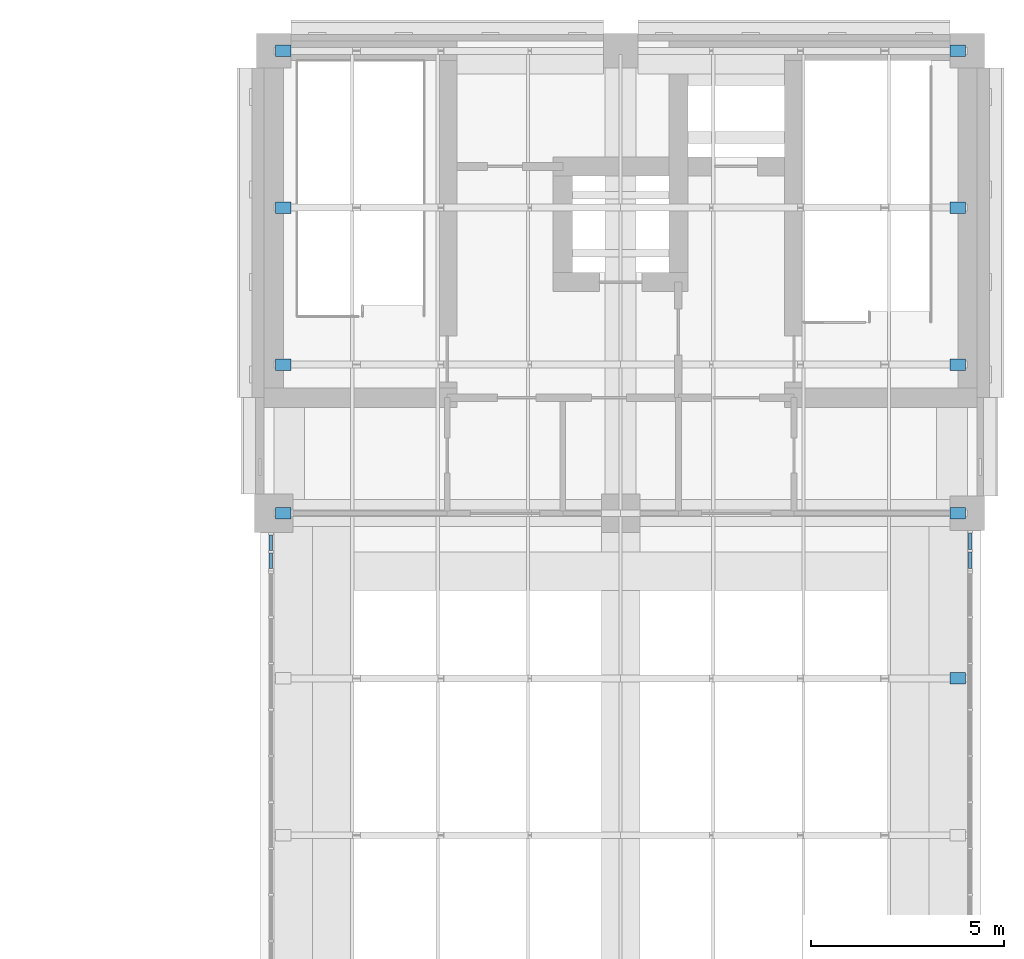
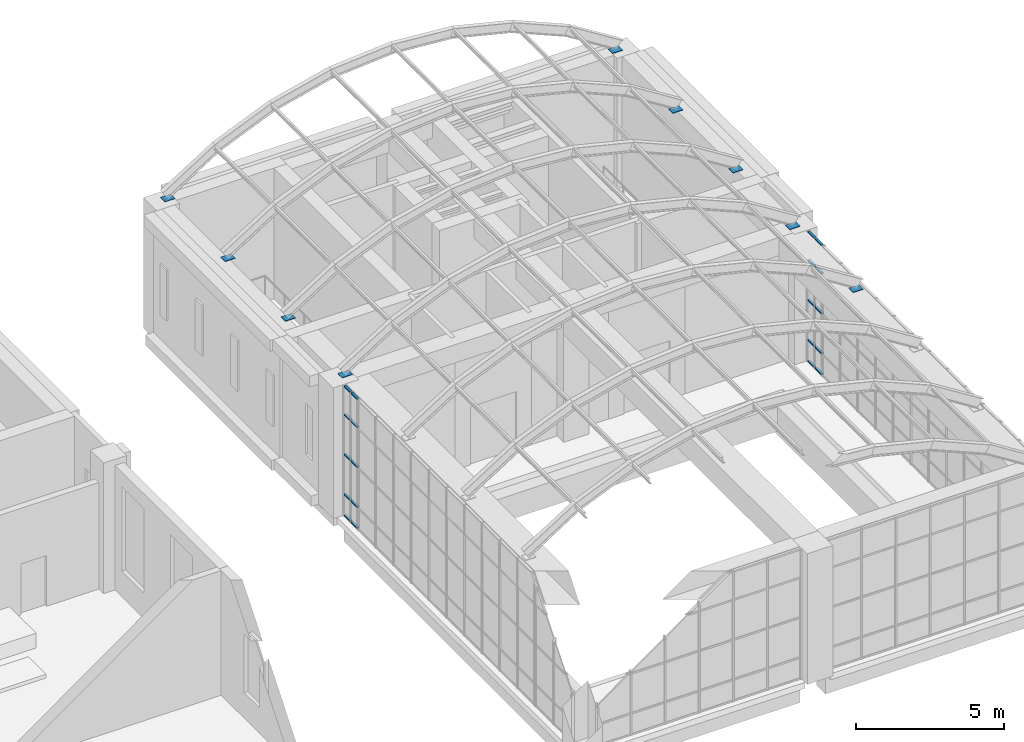
# One storey, part 16 of 39: 29 members, 2 elements without a shape of their own.
"""IFC4 building model written with IfcOpenShell, lengths in metres."""

from ifc_helpers import new_model, si_unit, direction, frame, origin, origin_2d, place, context, subcontext, project, spatial, rectangle, extrude, material, layer, layer_set, material_profile, profile_set, type_object, element, aggregate, save


model = new_model("IFC4")

# Units and contexts
model_context = context("Model", 3, precision=1e-05, world=origin(), true_north=direction((0.0, 1.0)))
body_context = subcontext(model_context, "Body", "Model", "MODEL_VIEW")
ifc_project = project(units=[si_unit("LENGTHUNIT", "METRE"), si_unit("AREAUNIT", "SQUARE_METRE"), si_unit("VOLUMEUNIT", "CUBIC_METRE"), si_unit("PLANEANGLEUNIT", "RADIAN"), si_unit("MASSUNIT", "GRAM", prefix="KILO")], contexts=[model_context])

# Site, building, storey
site_placement = place(None, origin())
site = spatial("IfcSite", under=ifc_project, at=site_placement, CompositionType="ELEMENT")
building_placement = place(site_placement, origin())
building = spatial("IfcBuilding", under=site, at=building_placement, Name="Aurelan Courthouse", CompositionType="ELEMENT")
storey_placement = place(building_placement, frame((0.0, 0.0, 28.199951171875)))
storey = spatial("IfcBuildingStorey", under=building, at=storey_placement, Name="L05", CompositionType="ELEMENT", Elevation=28.199951171875)

# Curtain wall, members
ifc_material_1 = material(Name="Bronze-finished aluminium and glass", Category="aluminium")
ifc_layer_1 = layer(ifc_material_1, 0.14990234375)
ifc_layer_set_1 = layer_set([ifc_layer_1], Name="Bronze-finished aluminium and glass")
curtain_wall_type_1 = type_object("IfcCurtainWallType", Name="Curtain wall 1050 x 5400", PredefinedType="NOTDEFINED", material=ifc_layer_set_1)
curtain_wall_1_placement = place(storey_placement, origin())
curtain_wall_1 = element("IfcCurtainWall", 1, at=curtain_wall_1_placement, inside=storey, type_object=curtain_wall_type_1, Name="Curtain wall CW-V3-L05-E03", PredefinedType="NOTDEFINED")
ifc_material_2 = material(Name="Bronze-finished aluminium", Category="aluminium")
ifc_material_profile_1 = material_profile(ifc_material_2, rectangle(XDim=0.090087890625, YDim=0.06005859375, at=origin_2d()), Name="Bronze transom 60 x 90")
ifc_profile_set_1 = profile_set([ifc_material_profile_1], Name="Bronze-finished aluminium")
member_type_1 = type_object("IfcMemberType", Name="Curtain wall transom 60 x 90", PredefinedType="USERDEFINED", material=ifc_profile_set_1)
member_1_placement = place(storey_placement, frame((90.074951171875, 52.56005859375, 0.030029296875), z_axis=(0.0, 1.0, 0.0), x_axis=(-1.0, 0.0, 0.0)))
member_1 = element("IfcMember", 2, at=member_1_placement, type_object=member_type_1, Name="CW-V3-L05-E03 transom 1.1", ObjectType="TRANSOM", PredefinedType="USERDEFINED", context=body_context, shape_type="SweptSolid", body=[
    extrude(rectangle(XDim=0.090087890625, YDim=0.06005859375, at=origin_2d()), origin(), (0.0, 0.0, 1.0), 0.43505859375),
])
member_2_placement = place(storey_placement, frame((90.074951171875, 52.56005859375, 0.900146484375), z_axis=(0.0, 1.0, 0.0), x_axis=(-1.0, 0.0, 0.0)))
member_2 = element("IfcMember", 3, at=member_2_placement, type_object=member_type_1, Name="CW-V3-L05-E03 transom 1.2", ObjectType="TRANSOM", PredefinedType="USERDEFINED", context=body_context, shape_type="SweptSolid", body=[
    extrude(rectangle(XDim=0.090087890625, YDim=0.06005859375, at=origin_2d()), origin(), (0.0, 0.0, 1.0), 0.43505859375),
])
member_3_placement = place(storey_placement, frame((90.074951171875, 52.56005859375, 2.550048828125), z_axis=(0.0, 1.0, 0.0), x_axis=(-1.0, 0.0, 0.0)))
member_3 = element("IfcMember", 4, at=member_3_placement, type_object=member_type_1, Name="CW-V3-L05-E03 transom 1.3", ObjectType="TRANSOM", PredefinedType="USERDEFINED", context=body_context, shape_type="SweptSolid", body=[
    extrude(rectangle(XDim=0.090087890625, YDim=0.06005859375, at=origin_2d()), origin(), (0.0, 0.0, 1.0), 0.43505859375),
])
member_4_placement = place(storey_placement, frame((90.074951171875, 52.56005859375, 4.199951171875), z_axis=(0.0, 1.0, 0.0), x_axis=(-1.0, 0.0, 0.0)))
member_4 = element("IfcMember", 5, at=member_4_placement, type_object=member_type_1, Name="CW-V3-L05-E03 transom 1.4", ObjectType="TRANSOM", PredefinedType="USERDEFINED", context=body_context, shape_type="SweptSolid", body=[
    extrude(rectangle(XDim=0.090087890625, YDim=0.06005859375, at=origin_2d()), origin(), (0.0, 0.0, 1.0), 0.43505859375),
])
member_5_placement = place(storey_placement, frame((90.074951171875, 52.56005859375, 5.3701171875), z_axis=(0.0, 1.0, 0.0), x_axis=(-1.0, 0.0, 0.0)))
member_5 = element("IfcMember", 6, at=member_5_placement, type_object=member_type_1, Name="CW-V3-L05-E03 transom 1.5", ObjectType="TRANSOM", PredefinedType="USERDEFINED", context=body_context, shape_type="SweptSolid", body=[
    extrude(rectangle(XDim=0.090087890625, YDim=0.06005859375, at=origin_2d()), origin(), (0.0, 0.0, 1.0), 0.43505859375),
])
member_6_placement = place(storey_placement, frame((90.074951171875, 53.054931640625, 0.030029296875), z_axis=(0.0, 1.0, 0.0), x_axis=(-1.0, 0.0, 0.0)))
member_6 = element("IfcMember", 7, at=member_6_placement, type_object=member_type_1, Name="CW-V3-L05-E03 transom 2.1", ObjectType="TRANSOM", PredefinedType="USERDEFINED", context=body_context, shape_type="SweptSolid", body=[
    extrude(rectangle(XDim=0.090087890625, YDim=0.06005859375, at=origin_2d()), origin(), (0.0, 0.0, 1.0), 0.43505859375),
])
member_7_placement = place(storey_placement, frame((90.074951171875, 53.054931640625, 0.900146484375), z_axis=(0.0, 1.0, 0.0), x_axis=(-1.0, 0.0, 0.0)))
member_7 = element("IfcMember", 8, at=member_7_placement, type_object=member_type_1, Name="CW-V3-L05-E03 transom 2.2", ObjectType="TRANSOM", PredefinedType="USERDEFINED", context=body_context, shape_type="SweptSolid", body=[
    extrude(rectangle(XDim=0.090087890625, YDim=0.06005859375, at=origin_2d()), origin(), (0.0, 0.0, 1.0), 0.43505859375),
])
member_8_placement = place(storey_placement, frame((90.074951171875, 53.054931640625, 2.550048828125), z_axis=(0.0, 1.0, 0.0), x_axis=(-1.0, 0.0, 0.0)))
member_8 = element("IfcMember", 9, at=member_8_placement, type_object=member_type_1, Name="CW-V3-L05-E03 transom 2.3", ObjectType="TRANSOM", PredefinedType="USERDEFINED", context=body_context, shape_type="SweptSolid", body=[
    extrude(rectangle(XDim=0.090087890625, YDim=0.06005859375, at=origin_2d()), origin(), (0.0, 0.0, 1.0), 0.43505859375),
])
member_9_placement = place(storey_placement, frame((90.074951171875, 53.054931640625, 4.199951171875), z_axis=(0.0, 1.0, 0.0), x_axis=(-1.0, 0.0, 0.0)))
member_9 = element("IfcMember", 10, at=member_9_placement, type_object=member_type_1, Name="CW-V3-L05-E03 transom 2.4", ObjectType="TRANSOM", PredefinedType="USERDEFINED", context=body_context, shape_type="SweptSolid", body=[
    extrude(rectangle(XDim=0.090087890625, YDim=0.06005859375, at=origin_2d()), origin(), (0.0, 0.0, 1.0), 0.43505859375),
])
member_10_placement = place(storey_placement, frame((90.074951171875, 53.054931640625, 5.3701171875), z_axis=(0.0, 1.0, 0.0), x_axis=(-1.0, 0.0, 0.0)))
member_10 = element("IfcMember", 11, at=member_10_placement, type_object=member_type_1, Name="CW-V3-L05-E03 transom 2.5", ObjectType="TRANSOM", PredefinedType="USERDEFINED", context=body_context, shape_type="SweptSolid", body=[
    extrude(rectangle(XDim=0.090087890625, YDim=0.06005859375, at=origin_2d()), origin(), (0.0, 0.0, 1.0), 0.43505859375),
])
aggregate(curtain_wall_1, [member_1, member_2, member_3, member_4, member_5, member_6, member_7, member_8, member_9, member_10])

ifc_layer_2 = layer(ifc_material_1, 0.14990234375)
ifc_layer_set_2 = layer_set([ifc_layer_2], Name="Bronze-finished aluminium and glass")
curtain_wall_type_2 = type_object("IfcCurtainWallType", Name="Curtain wall 1000 x 5400", PredefinedType="NOTDEFINED", material=ifc_layer_set_2)
curtain_wall_2_placement = place(storey_placement, origin())
curtain_wall_2 = element("IfcCurtainWall", 12, at=curtain_wall_2_placement, inside=storey, type_object=curtain_wall_type_2, Name="Curtain wall CW-V3-L05-W03", PredefinedType="NOTDEFINED")
member_11_placement = place(storey_placement, frame((71.925048828125, 52.56005859375, 0.030029296875), z_axis=(0.0, 1.0, 0.0), x_axis=(-1.0, 0.0, 0.0)))
member_11 = element("IfcMember", 13, at=member_11_placement, type_object=member_type_1, Name="CW-V3-L05-W03 transom 1.1", ObjectType="TRANSOM", PredefinedType="USERDEFINED", context=body_context, shape_type="SweptSolid", body=[
    extrude(rectangle(XDim=0.090087890625, YDim=0.06005859375, at=origin_2d()), origin(), (0.0, 0.0, 1.0), 0.409912109375),
])
member_12_placement = place(storey_placement, frame((71.925048828125, 52.56005859375, 0.900146484375), z_axis=(0.0, 1.0, 0.0), x_axis=(-1.0, 0.0, 0.0)))
member_12 = element("IfcMember", 14, at=member_12_placement, type_object=member_type_1, Name="CW-V3-L05-W03 transom 1.2", ObjectType="TRANSOM", PredefinedType="USERDEFINED", context=body_context, shape_type="SweptSolid", body=[
    extrude(rectangle(XDim=0.090087890625, YDim=0.06005859375, at=origin_2d()), origin(), (0.0, 0.0, 1.0), 0.409912109375),
])
member_13_placement = place(storey_placement, frame((71.925048828125, 52.56005859375, 2.550048828125), z_axis=(0.0, 1.0, 0.0), x_axis=(-1.0, 0.0, 0.0)))
member_13 = element("IfcMember", 15, at=member_13_placement, type_object=member_type_1, Name="CW-V3-L05-W03 transom 1.3", ObjectType="TRANSOM", PredefinedType="USERDEFINED", context=body_context, shape_type="SweptSolid", body=[
    extrude(rectangle(XDim=0.090087890625, YDim=0.06005859375, at=origin_2d()), origin(), (0.0, 0.0, 1.0), 0.409912109375),
])
member_14_placement = place(storey_placement, frame((71.925048828125, 52.56005859375, 4.199951171875), z_axis=(0.0, 1.0, 0.0), x_axis=(-1.0, 0.0, 0.0)))
member_14 = element("IfcMember", 16, at=member_14_placement, type_object=member_type_1, Name="CW-V3-L05-W03 transom 1.4", ObjectType="TRANSOM", PredefinedType="USERDEFINED", context=body_context, shape_type="SweptSolid", body=[
    extrude(rectangle(XDim=0.090087890625, YDim=0.06005859375, at=origin_2d()), origin(), (0.0, 0.0, 1.0), 0.409912109375),
])
member_15_placement = place(storey_placement, frame((71.925048828125, 52.56005859375, 5.3701171875), z_axis=(0.0, 1.0, 0.0), x_axis=(-1.0, 0.0, 0.0)))
member_15 = element("IfcMember", 17, at=member_15_placement, type_object=member_type_1, Name="CW-V3-L05-W03 transom 1.5", ObjectType="TRANSOM", PredefinedType="USERDEFINED", context=body_context, shape_type="SweptSolid", body=[
    extrude(rectangle(XDim=0.090087890625, YDim=0.06005859375, at=origin_2d()), origin(), (0.0, 0.0, 1.0), 0.409912109375),
])
member_16_placement = place(storey_placement, frame((71.925048828125, 53.030029296875, 0.030029296875), z_axis=(0.0, 1.0, 0.0), x_axis=(-1.0, 0.0, 0.0)))
member_16 = element("IfcMember", 18, at=member_16_placement, type_object=member_type_1, Name="CW-V3-L05-W03 transom 2.1", ObjectType="TRANSOM", PredefinedType="USERDEFINED", context=body_context, shape_type="SweptSolid", body=[
    extrude(rectangle(XDim=0.090087890625, YDim=0.06005859375, at=origin_2d()), origin(), (0.0, 0.0, 1.0), 0.409912109375),
])
member_17_placement = place(storey_placement, frame((71.925048828125, 53.030029296875, 0.900146484375), z_axis=(0.0, 1.0, 0.0), x_axis=(-1.0, 0.0, 0.0)))
member_17 = element("IfcMember", 19, at=member_17_placement, type_object=member_type_1, Name="CW-V3-L05-W03 transom 2.2", ObjectType="TRANSOM", PredefinedType="USERDEFINED", context=body_context, shape_type="SweptSolid", body=[
    extrude(rectangle(XDim=0.090087890625, YDim=0.06005859375, at=origin_2d()), origin(), (0.0, 0.0, 1.0), 0.409912109375),
])
member_18_placement = place(storey_placement, frame((71.925048828125, 53.030029296875, 2.550048828125), z_axis=(0.0, 1.0, 0.0), x_axis=(-1.0, 0.0, 0.0)))
member_18 = element("IfcMember", 20, at=member_18_placement, type_object=member_type_1, Name="CW-V3-L05-W03 transom 2.3", ObjectType="TRANSOM", PredefinedType="USERDEFINED", context=body_context, shape_type="SweptSolid", body=[
    extrude(rectangle(XDim=0.090087890625, YDim=0.06005859375, at=origin_2d()), origin(), (0.0, 0.0, 1.0), 0.409912109375),
])
member_19_placement = place(storey_placement, frame((71.925048828125, 53.030029296875, 4.199951171875), z_axis=(0.0, 1.0, 0.0), x_axis=(-1.0, 0.0, 0.0)))
member_19 = element("IfcMember", 21, at=member_19_placement, type_object=member_type_1, Name="CW-V3-L05-W03 transom 2.4", ObjectType="TRANSOM", PredefinedType="USERDEFINED", context=body_context, shape_type="SweptSolid", body=[
    extrude(rectangle(XDim=0.090087890625, YDim=0.06005859375, at=origin_2d()), origin(), (0.0, 0.0, 1.0), 0.409912109375),
])
member_20_placement = place(storey_placement, frame((71.925048828125, 53.030029296875, 5.3701171875), z_axis=(0.0, 1.0, 0.0), x_axis=(-1.0, 0.0, 0.0)))
member_20 = element("IfcMember", 22, at=member_20_placement, type_object=member_type_1, Name="CW-V3-L05-W03 transom 2.5", ObjectType="TRANSOM", PredefinedType="USERDEFINED", context=body_context, shape_type="SweptSolid", body=[
    extrude(rectangle(XDim=0.090087890625, YDim=0.06005859375, at=origin_2d()), origin(), (0.0, 0.0, 1.0), 0.409912109375),
])
aggregate(curtain_wall_2, [member_11, member_12, member_13, member_14, member_15, member_16, member_17, member_18, member_19, member_20])

# Members
ifc_material_3 = material(Name="Steel S355", Category="steel")
ifc_material_profile_2 = material_profile(ifc_material_3, rectangle(XDim=0.39990234375, YDim=0.300048828125, at=origin_2d()), Name="PL 400 x 300")
ifc_profile_set_2 = profile_set([ifc_material_profile_2], Name="Steel S355")
member_type_2 = type_object("IfcMemberType", Name="Rib bearing shoe 400 x 300 x 20", PredefinedType="USERDEFINED", material=ifc_profile_set_2)
for number, where, z_axis, x_axis, name in (
    (23, (89.75, 49.71435546875, 5.400146484375), (0.0, 0.0, 1.0), (1.0, 0.0, 0.0), "Rib bearing shoe VS-4E"),
    (24, (72.25, 54.0, 5.400146484375), (0.0, 0.0, 1.0), (1.0, 0.0, 0.0), "Rib bearing shoe VS-5W"),
    (25, (89.75, 54.0, 5.400146484375), (0.0, 0.0, 1.0), (1.0, 0.0, 0.0), "Rib bearing shoe VS-5E"),
    (26, (72.25, 57.857177734375, 5.400146484375), (0.0, 0.0, 1.0), (1.0, 0.0, 0.0), "Rib bearing shoe VS-6W"),
    (27, (89.75, 57.857177734375, 5.400146484375), (0.0, 0.0, 1.0), (1.0, 0.0, 0.0), "Rib bearing shoe VS-6E"),
    (28, (72.25, 61.9287109375, 5.400146484375), (0.0, 0.0, 1.0), (1.0, 0.0, 0.0), "Rib bearing shoe VS-7W"),
    (29, (89.75, 61.9287109375, 5.400146484375), (0.0, 0.0, 1.0), (1.0, 0.0, 0.0), "Rib bearing shoe VS-7E"),
    (30, (72.25, 66.0, 5.400146484375), (0.0, 0.0, 1.0), (1.0, 0.0, 0.0), "Rib bearing shoe VS-8W"),
    (31, (89.75, 66.0, 5.400146484375), (0.0, 0.0, 1.0), (1.0, 0.0, 0.0), "Rib bearing shoe VS-8E"),
):
    element("IfcMember", number, at=place(storey_placement, frame(where, z_axis=z_axis, x_axis=x_axis)), inside=storey, type_object=member_type_2, Name=name, ObjectType="BEARING SHOE", PredefinedType="USERDEFINED", context=body_context, shape_type="SweptSolid", body=[
        extrude(rectangle(XDim=0.39990234375, YDim=0.300048828125, at=origin_2d()), origin(), (0.0, 0.0, 1.0), 0.02001953125),
    ])

save(model, "model.ifc")
